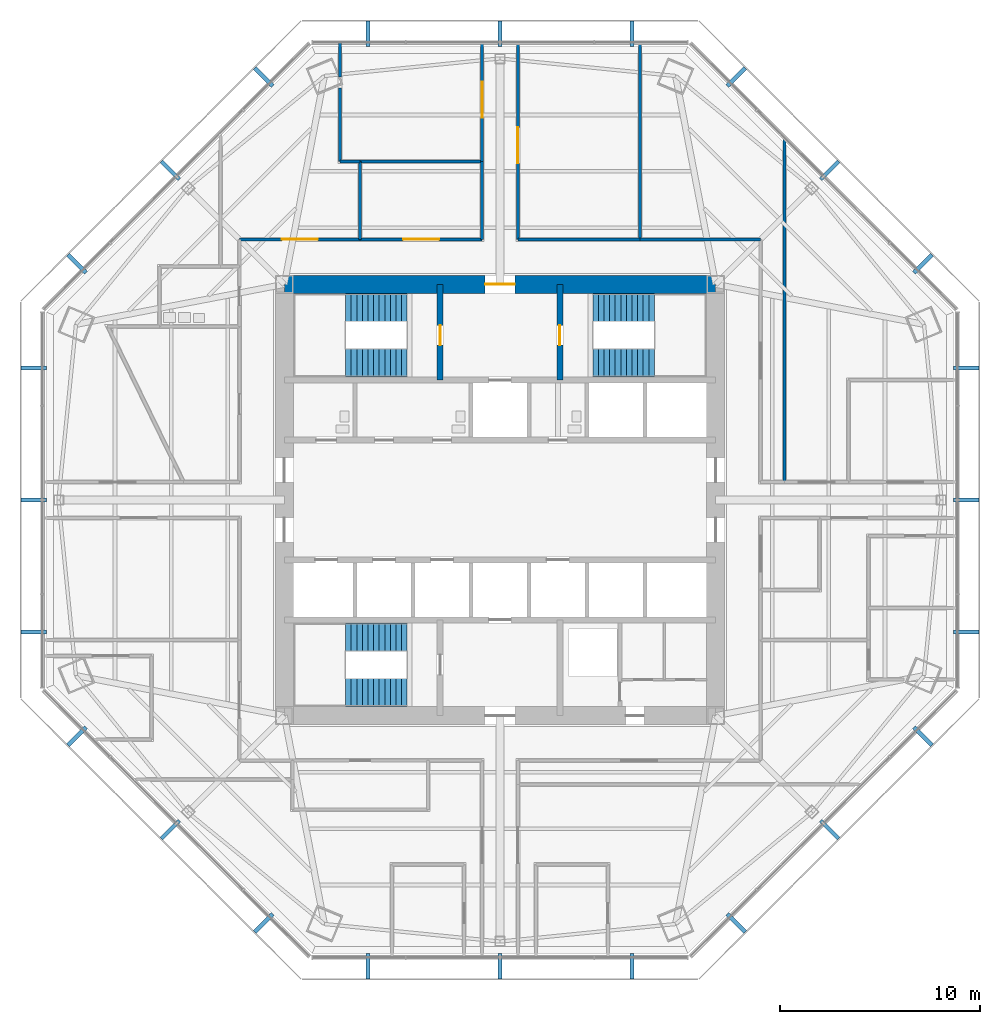
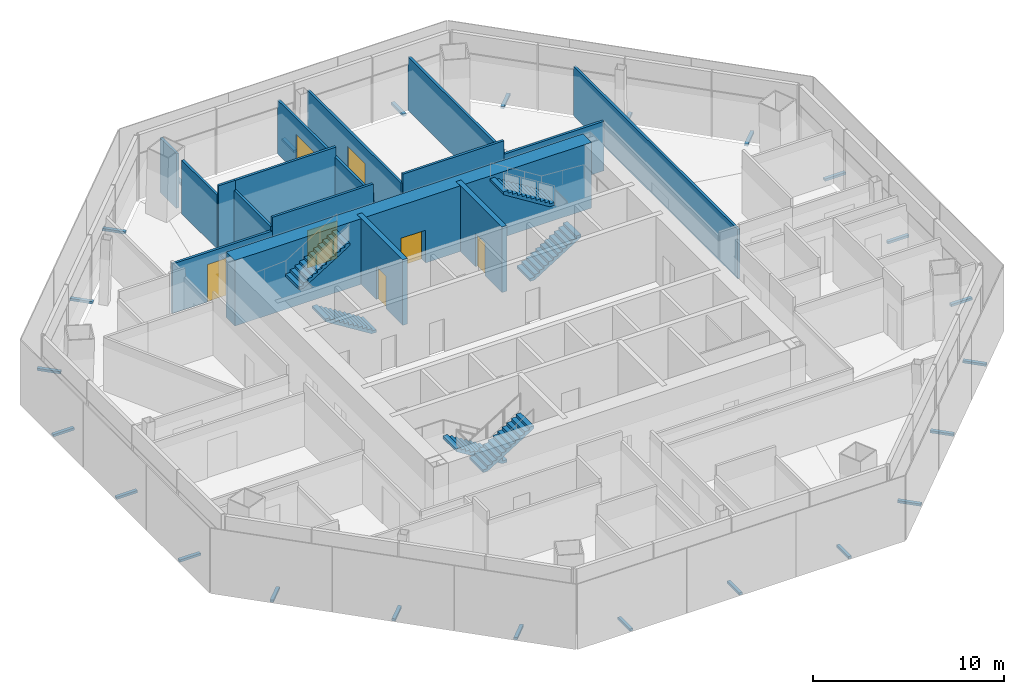
# One storey, part 11 of 14: 24 discrete accessories, 17 walls, 7 doors, 6 stair flights, 7 openings, 3 elements without a shape of their own.
"""IFC4 building model written with IfcOpenShell, lengths in metres."""

from ifc_helpers import new_model, si_unit, direction, frame, frame_2d, origin, origin_2d, place, context, subcontext, project, spatial, polyline, rectangle, outline, extrude, source, transform, mapped, material, layer, layer_set, type_object, type_shapes, element, fill, aggregate, save


model = new_model("IFC4")

# Units and contexts
model_context = context("Model", 3, precision=1e-05, world=origin(), true_north=direction((0.0, 1.0)))
body_context = subcontext(model_context, "Body", "Model", "MODEL_VIEW")
ifc_project = project(units=[si_unit("LENGTHUNIT", "METRE"), si_unit("AREAUNIT", "SQUARE_METRE"), si_unit("VOLUMEUNIT", "CUBIC_METRE"), si_unit("PLANEANGLEUNIT", "RADIAN"), si_unit("MASSUNIT", "GRAM", prefix="KILO")], contexts=[model_context])

# Site, building, storey
site_placement = place(None, origin())
site = spatial("IfcSite", under=ifc_project, at=site_placement, CompositionType="ELEMENT")
building_placement = place(site_placement, origin())
building = spatial("IfcBuilding", under=site, at=building_placement, Name="Mashrafa Tower", CompositionType="ELEMENT")
storey_placement = place(building_placement, frame((0.0, 0.0, 180.60009765625)))
storey = spatial("IfcBuildingStorey", under=building, at=storey_placement, Name="L41", CompositionType="ELEMENT", Elevation=180.60009765625)

# Wall, opening, door
ifc_material_1 = material(Name="Concrete C60/75", Category="concrete")
ifc_layer_1 = layer(ifc_material_1, 0.300048828125)
ifc_layer_set_1 = layer_set([ifc_layer_1], Name="Core wall 300 C60/75")
wall_type_1 = type_object("IfcWallType", Name="Core wall 300 C60/75", PredefinedType="SOLIDWALL", material=ifc_layer_set_1)
wall_1_placement = place(storey_placement, frame((-3.0, 6.0, 0.0), z_axis=(0.0, 0.0, 1.0), x_axis=(0.0, 1.0, 0.0)))
wall_1 = element("IfcWall", 1, at=wall_1_placement, inside=storey, type_object=wall_type_1, Name="Core wall CX-NW L41", PredefinedType="SOLIDWALL", context=body_context, shape_type="SweptSolid", body=[
    extrude(rectangle(XDim=4.800048828125, YDim=0.300048828125, at=frame_2d((2.39990234375, 0.0))), origin(), (0.0, 0.0, 1.0), 4.199951171875),
])
opening_1_placement = place(wall_1_placement, frame((1.75, 0.0, 0.0)))
opening_1 = element("IfcOpeningElement", 2, at=opening_1_placement, cuts=wall_1, Name="Opening 41.030", PredefinedType="OPENING", context=body_context, shape_type="SweptSolid", body=[
    extrude(rectangle(XDim=1.0, YDim=2.10009765625, at=frame_2d((0.5, 1.050048828125))), frame((0.0, 0.159912109375, 0.0), z_axis=(0.0, -1.0, 0.0), x_axis=(1.0, 0.0, 0.0)), (0.0, 0.0, 1.0), 0.320068359375),
])
ifc_material_2 = material(Name="Steel door", Category="steel")
door_type_1 = type_object("IfcDoorType", Name="Stair door 1000 x 2100 90 min", OperationType="USERDEFINED", PredefinedType="DOOR", material=ifc_material_2)
door_1_placement = place(opening_1_placement, origin())
door_1 = element("IfcDoor", 3, at=door_1_placement, inside=storey, type_object=door_type_1, Name="Stair S1 door L41", OperationType="SINGLE_SWING_LEFT", OverallHeight=2.10009765625, OverallWidth=1.0, PredefinedType="DOOR", context=body_context, shape_type="SweptSolid", body=[
    extrude(rectangle(XDim=1.0, YDim=2.10009765625, at=frame_2d((0.5, 1.050048828125))), frame((0.0, 0.02490234375, 0.0), z_axis=(0.0, -1.0, 0.0), x_axis=(1.0, 0.0, 0.0)), (0.0, 0.0, 1.0), 0.050048828125),
])
fill(opening_1, door_1)

wall_2_placement = place(storey_placement, frame((3.0, 6.0, 0.0), z_axis=(0.0, 0.0, 1.0), x_axis=(0.0, 1.0, 0.0)))
wall_2 = element("IfcWall", 4, at=wall_2_placement, inside=storey, type_object=wall_type_1, Name="Core wall CX-NE L41", PredefinedType="SOLIDWALL", context=body_context, shape_type="SweptSolid", body=[
    extrude(rectangle(XDim=4.800048828125, YDim=0.300048828125, at=frame_2d((2.39990234375, 0.0))), origin(), (0.0, 0.0, 1.0), 4.199951171875),
])
opening_2_placement = place(wall_2_placement, frame((1.75, 0.0, 0.0)))
opening_2 = element("IfcOpeningElement", 5, at=opening_2_placement, cuts=wall_2, Name="Opening 41.031", PredefinedType="OPENING", context=body_context, shape_type="SweptSolid", body=[
    extrude(rectangle(XDim=1.0, YDim=2.10009765625, at=frame_2d((0.5, 1.050048828125))), frame((0.0, 0.159912109375, 0.0), z_axis=(0.0, -1.0, 0.0), x_axis=(1.0, 0.0, 0.0)), (0.0, 0.0, 1.0), 0.320068359375),
])
door_2_placement = place(opening_2_placement, frame((1.0, 0.0, 0.0), z_axis=(0.0, 0.0, 1.0), x_axis=(-1.0, 0.0, 0.0)))
door_2 = element("IfcDoor", 6, at=door_2_placement, inside=storey, type_object=door_type_1, Name="Stair S2 door L41", OperationType="SINGLE_SWING_RIGHT", OverallHeight=2.10009765625, OverallWidth=1.0, PredefinedType="DOOR", context=body_context, shape_type="SweptSolid", body=[
    extrude(rectangle(XDim=1.0, YDim=2.10009765625, at=frame_2d((0.5, 1.050048828125))), frame((0.0, 0.02490234375, 0.0), z_axis=(0.0, -1.0, 0.0), x_axis=(1.0, 0.0, 0.0)), (0.0, 0.0, 1.0), 0.050048828125),
])
fill(opening_2, door_2)

ifc_material_3 = material(Name="Concrete C60/75", Category="concrete")
ifc_layer_2 = layer(ifc_material_3, 0.89990234375)
ifc_layer_set_2 = layer_set([ifc_layer_2], Name="Core wall 900 C60/75")
wall_type_2 = type_object("IfcWallType", Name="Core wall 900 C60/75", PredefinedType="SOLIDWALL", material=ifc_layer_set_2)
wall_3_placement = place(storey_placement, frame((10.800048828125, 10.800048828125, 0.0), z_axis=(0.0, 0.0, 1.0), x_axis=(-1.0, 0.0, 0.0)))
wall_3 = element("IfcWall", 7, at=wall_3_placement, inside=storey, type_object=wall_type_2, Name="Core wall CW-N L41", PredefinedType="SOLIDWALL", context=body_context, shape_type="SweptSolid", body=[
    extrude(rectangle(XDim=21.60009765625, YDim=0.89990234375, at=frame_2d((10.800048828125, 0.0))), origin(), (0.0, 0.0, 1.0), 4.199951171875),
])
opening_3_placement = place(wall_3_placement, frame((10.050048828125, 0.0, 0.0)))
opening_3 = element("IfcOpeningElement", 8, at=opening_3_placement, cuts=wall_3, Name="Opening 41.028", PredefinedType="OPENING", context=body_context, shape_type="SweptSolid", body=[
    extrude(rectangle(XDim=1.5, YDim=2.10009765625, at=frame_2d((0.75, 1.050048828125))), frame((0.0, 0.4599609375, 0.0), z_axis=(0.0, -1.0, 0.0), x_axis=(1.0, 0.0, 0.0)), (0.0, 0.0, 1.0), 0.919921875),
])
ifc_material_4 = material(Name="Steel door", Category="steel")
door_type_2 = type_object("IfcDoorType", Name="Lobby door pair 1500 x 2100 90 min", OperationType="DOUBLE_DOOR_SINGLE_SWING", PredefinedType="DOOR", material=ifc_material_4)
door_3_placement = place(opening_3_placement, origin())
door_3 = element("IfcDoor", 9, at=door_3_placement, inside=storey, type_object=door_type_2, Name="Fire-fighting lobby F1 door L41", OperationType="DOUBLE_DOOR_SINGLE_SWING", OverallHeight=2.10009765625, OverallWidth=1.5, PredefinedType="DOOR", context=body_context, shape_type="SweptSolid", body=[
    extrude(rectangle(XDim=1.5, YDim=2.10009765625, at=frame_2d((0.75, 1.050048828125))), frame((0.0, 0.02490234375, 0.0), z_axis=(0.0, -1.0, 0.0), x_axis=(1.0, 0.0, 0.0)), (0.0, 0.0, 1.0), 0.050048828125),
])
fill(opening_3, door_3)

ifc_material_5 = material(Name="Gypsum board on steel studs", Category="steel")
ifc_layer_3 = layer(ifc_material_5, 0.14990234375)
ifc_layer_set_3 = layer_set([ifc_layer_3], Name="Corridor partition 150 1 hr")
wall_type_3 = type_object("IfcWallType", Name="Corridor partition 150 1 hr", PredefinedType="PARTITIONING", material=ifc_layer_set_3)
wall_4_placement = place(storey_placement, frame((-0.89990234375, 22.889892578125, 0.0), z_axis=(0.0, 0.0, 1.0), x_axis=(0.0, -1.0, 0.0)))
wall_4 = element("IfcWall", 10, at=wall_4_placement, inside=storey, type_object=wall_type_3, Name="Corridor wall L41-004", PredefinedType="PARTITIONING", context=body_context, shape_type="SweptSolid", body=[
    extrude(rectangle(XDim=5.93505859375, YDim=0.14990234375, at=frame_2d((2.967529296875, 0.0))), origin(), (0.0, 0.0, 1.0), 3.425537109375),
])
opening_4_placement = place(wall_4_placement, frame((1.949462890625, 0.0, 0.0)))
opening_4 = element("IfcOpeningElement", 11, at=opening_4_placement, cuts=wall_4, Name="Opening 41.003", PredefinedType="OPENING", context=body_context, shape_type="SweptSolid", body=[
    extrude(rectangle(XDim=1.800048828125, YDim=2.39990234375, at=frame_2d((0.89990234375, 1.199951171875))), frame((0.0, 0.0849609375, 0.0), z_axis=(0.0, -1.0, 0.0), x_axis=(1.0, 0.0, 0.0)), (0.0, 0.0, 1.0), 0.169921875),
])
ifc_material_6 = material(Name="Timber door", Category="wood")
door_type_3 = type_object("IfcDoorType", Name="Door pair 1800 x 2400", OperationType="DOUBLE_DOOR_SINGLE_SWING", PredefinedType="DOOR", material=ifc_material_6)
door_4_placement = place(opening_4_placement, frame((1.800048828125, 0.0, 0.0), z_axis=(0.0, 0.0, 1.0), x_axis=(-1.0, 0.0, 0.0)))
door_4 = element("IfcDoor", 12, at=door_4_placement, inside=storey, type_object=door_type_3, Name="Board Room 41 door", OperationType="DOUBLE_DOOR_SINGLE_SWING", OverallHeight=2.39990234375, OverallWidth=1.800048828125, PredefinedType="DOOR", context=body_context, shape_type="SweptSolid", body=[
    extrude(rectangle(XDim=1.800048828125, YDim=2.39990234375, at=frame_2d((0.89990234375, 1.199951171875))), frame((0.0, 0.02490234375, 0.0), z_axis=(0.0, -1.0, 0.0), x_axis=(1.0, 0.0, 0.0)), (0.0, 0.0, 1.0), 0.050048828125),
])
fill(opening_4, door_4)

# Walls
wall_5_placement = place(storey_placement, frame((13.050048828125, 13.050048828125, 0.0), z_axis=(0.0, 0.0, 1.0), x_axis=(-1.0, 0.0, 0.0)))
element("IfcWall", 13, at=wall_5_placement, inside=storey, type_object=wall_type_3, Name="Corridor wall L41-012", PredefinedType="PARTITIONING", context=body_context, shape_type="SweptSolid", body=[
    extrude(rectangle(XDim=6.051025390625, YDim=0.14990234375, at=frame_2d((3.025390625, 0.0))), origin(), (0.0, 0.0, 1.0), 3.16650390625),
])
wall_6_placement = place(storey_placement, frame((7.0009765625, 13.050048828125, 0.0), z_axis=(0.0, 0.0, 1.0), x_axis=(-1.0, 0.0, 0.0)))
element("IfcWall", 14, at=wall_6_placement, inside=storey, type_object=wall_type_3, Name="Corridor wall L41-013", PredefinedType="PARTITIONING", context=body_context, shape_type="SweptSolid", body=[
    extrude(rectangle(XDim=6.10107421875, YDim=0.14990234375, at=frame_2d((3.050537109375, 0.0))), origin(), (0.0, 0.0, 1.0), 4.034912109375),
])

# Wall, opening, door
wall_7_placement = place(storey_placement, frame((0.89990234375, 13.050048828125, 0.0), z_axis=(0.0, 0.0, 1.0), x_axis=(0.0, 1.0, 0.0)))
wall_7 = element("IfcWall", 15, at=wall_7_placement, inside=storey, type_object=wall_type_3, Name="Corridor wall L41-014", PredefinedType="PARTITIONING", context=body_context, shape_type="SweptSolid", body=[
    extrude(rectangle(XDim=9.83984375, YDim=0.14990234375, at=frame_2d((4.919921875, 0.0))), origin(), (0.0, 0.0, 1.0), 3.425537109375),
])
opening_5_placement = place(wall_7_placement, frame((3.802978515625, 0.0, 0.0)))
opening_5 = element("IfcOpeningElement", 16, at=opening_5_placement, cuts=wall_7, Name="Opening 41.014", PredefinedType="OPENING", context=body_context, shape_type="SweptSolid", body=[
    extrude(rectangle(XDim=1.800048828125, YDim=2.39990234375, at=frame_2d((0.89990234375, 1.199951171875))), frame((0.0, 0.0849609375, 0.0), z_axis=(0.0, -1.0, 0.0), x_axis=(1.0, 0.0, 0.0)), (0.0, 0.0, 1.0), 0.169921875),
])
door_5_placement = place(opening_5_placement, frame((1.800048828125, 0.0, 0.0), z_axis=(0.0, 0.0, 1.0), x_axis=(-1.0, 0.0, 0.0)))
door_5 = element("IfcDoor", 17, at=door_5_placement, inside=storey, type_object=door_type_3, Name="General Counsel's Office 41-NE1 door", OperationType="DOUBLE_DOOR_SINGLE_SWING", OverallHeight=2.39990234375, OverallWidth=1.800048828125, PredefinedType="DOOR", context=body_context, shape_type="SweptSolid", body=[
    extrude(rectangle(XDim=1.800048828125, YDim=2.39990234375, at=frame_2d((0.89990234375, 1.199951171875))), frame((0.0, 0.02490234375, 0.0), z_axis=(0.0, -1.0, 0.0), x_axis=(1.0, 0.0, 0.0)), (0.0, 0.0, 1.0), 0.050048828125),
])
fill(opening_5, door_5)

wall_8_placement = place(storey_placement, frame((-6.9990234375, 13.050048828125, 0.0), z_axis=(0.0, 0.0, 1.0), x_axis=(-1.0, 0.0, 0.0)))
wall_8 = element("IfcWall", 18, at=wall_8_placement, inside=storey, type_object=wall_type_3, Name="Corridor wall L41-016", PredefinedType="PARTITIONING", context=body_context, shape_type="SweptSolid", body=[
    extrude(rectangle(XDim=6.051025390625, YDim=0.14990234375, at=frame_2d((3.025390625, 0.0))), origin(), (0.0, 0.0, 1.0), 3.16650390625),
])
opening_6_placement = place(wall_8_placement, frame((2.12548828125, 0.0, 0.0)))
opening_6 = element("IfcOpeningElement", 19, at=opening_6_placement, cuts=wall_8, Name="Opening 41.016", PredefinedType="OPENING", context=body_context, shape_type="SweptSolid", body=[
    extrude(rectangle(XDim=1.800048828125, YDim=2.39990234375, at=frame_2d((0.89990234375, 1.199951171875))), frame((0.0, 0.0849609375, 0.0), z_axis=(0.0, -1.0, 0.0), x_axis=(1.0, 0.0, 0.0)), (0.0, 0.0, 1.0), 0.169921875),
])
door_6_placement = place(opening_6_placement, frame((1.800048828125, 0.0, 0.0), z_axis=(0.0, 0.0, 1.0), x_axis=(-1.0, 0.0, 0.0)))
door_6 = element("IfcDoor", 20, at=door_6_placement, inside=storey, type_object=door_type_3, Name="Corporate Affairs Office 41-NW2 door", OperationType="DOUBLE_DOOR_SINGLE_SWING", OverallHeight=2.39990234375, OverallWidth=1.800048828125, PredefinedType="DOOR", context=body_context, shape_type="SweptSolid", body=[
    extrude(rectangle(XDim=1.800048828125, YDim=2.39990234375, at=frame_2d((0.89990234375, 1.199951171875))), frame((0.0, 0.02490234375, 0.0), z_axis=(0.0, -1.0, 0.0), x_axis=(1.0, 0.0, 0.0)), (0.0, 0.0, 1.0), 0.050048828125),
])
fill(opening_6, door_6)

# Wall
wall_9_placement = place(storey_placement, frame((-0.89990234375, 16.956787109375, 0.0), z_axis=(0.0, 0.0, 1.0), x_axis=(0.0, -1.0, 0.0)))
element("IfcWall", 21, at=wall_9_placement, inside=storey, type_object=wall_type_3, Name="Corridor wall L41-018", PredefinedType="PARTITIONING", context=body_context, shape_type="SweptSolid", body=[
    extrude(rectangle(XDim=3.90673828125, YDim=0.14990234375, at=frame_2d((1.953369140625, 0.0))), origin(), (0.0, 0.0, 1.0), 3.425537109375),
])

# Wall, opening, door
wall_10_placement = place(storey_placement, frame((-0.89990234375, 13.050048828125, 0.0), z_axis=(0.0, 0.0, 1.0), x_axis=(-1.0, 0.0, 0.0)))
wall_10 = element("IfcWall", 22, at=wall_10_placement, inside=storey, type_object=wall_type_3, Name="Corridor wall L41-019", PredefinedType="PARTITIONING", context=body_context, shape_type="SweptSolid", body=[
    extrude(rectangle(XDim=6.10107421875, YDim=0.14990234375, at=frame_2d((3.050537109375, 0.0))), origin(), (0.0, 0.0, 1.0), 4.034912109375),
])
opening_7_placement = place(wall_10_placement, frame((2.150390625, 0.0, 0.0)))
opening_7 = element("IfcOpeningElement", 23, at=opening_7_placement, cuts=wall_10, Name="Opening 41.017", PredefinedType="OPENING", context=body_context, shape_type="SweptSolid", body=[
    extrude(rectangle(XDim=1.800048828125, YDim=2.39990234375, at=frame_2d((0.89990234375, 1.199951171875))), frame((0.0, 0.0849609375, 0.0), z_axis=(0.0, -1.0, 0.0), x_axis=(1.0, 0.0, 0.0)), (0.0, 0.0, 1.0), 0.169921875),
])
door_7_placement = place(opening_7_placement, frame((1.800048828125, 0.0, 0.0), z_axis=(0.0, 0.0, 1.0), x_axis=(-1.0, 0.0, 0.0)))
door_7 = element("IfcDoor", 24, at=door_7_placement, inside=storey, type_object=door_type_3, Name="General Counsel's Office 41-NW1 door", OperationType="DOUBLE_DOOR_SINGLE_SWING", OverallHeight=2.39990234375, OverallWidth=1.800048828125, PredefinedType="DOOR", context=body_context, shape_type="SweptSolid", body=[
    extrude(rectangle(XDim=1.800048828125, YDim=2.39990234375, at=frame_2d((0.89990234375, 1.199951171875))), frame((0.0, 0.02490234375, 0.0), z_axis=(0.0, -1.0, 0.0), x_axis=(1.0, 0.0, 0.0)), (0.0, 0.0, 1.0), 0.050048828125),
])
fill(opening_7, door_7)

# Walls
ifc_material_7 = material(Name="Gypsum board on steel studs", Category="steel")
ifc_layer_4 = layer(ifc_material_7, 0.14990234375)
ifc_layer_set_4 = layer_set([ifc_layer_4], Name="Partition 150")
wall_type_4 = type_object("IfcWallType", Name="Partition 150", PredefinedType="PARTITIONING", material=ifc_layer_set_4)
wall_11_placement = place(storey_placement, frame((-8.0, 22.8876953125, 0.0), z_axis=(0.0, 0.0, 1.0), x_axis=(0.0, -1.0, 0.0)))
element("IfcWall", 25, at=wall_11_placement, inside=storey, type_object=wall_type_4, Name="Partition wall L41-038", PredefinedType="PARTITIONING", context=body_context, shape_type="SweptSolid", body=[
    extrude(rectangle(XDim=1.6953125, YDim=0.14990234375, at=frame_2d((0.84765625, 0.0))), origin(), (0.0, 0.0, 1.0), 3.4990234375),
])
wall_12_placement = place(storey_placement, frame((-8.0, 20.63818359375, 0.0), z_axis=(0.0, 0.0, 1.0), x_axis=(0.0, -1.0, 0.0)))
element("IfcWall", 26, at=wall_12_placement, inside=storey, type_object=wall_type_4, Name="Partition wall L41-039", PredefinedType="PARTITIONING", context=body_context, shape_type="SweptSolid", body=[
    extrude(rectangle(XDim=3.682373046875, YDim=0.14990234375, at=frame_2d((1.84130859375, 0.0))), origin(), (0.0, 0.0, 1.0), 3.425537109375),
])
wall_13_placement = place(storey_placement, frame((-8.0, 16.955810546875, 0.0), z_axis=(0.0, 0.0, 1.0), x_axis=(1.0, 0.0, 0.0)))
element("IfcWall", 27, at=wall_13_placement, inside=storey, type_object=wall_type_4, Name="Partition wall L41-040", PredefinedType="PARTITIONING", context=body_context, shape_type="SweptSolid", body=[
    extrude(rectangle(XDim=1.0009765625, YDim=0.14990234375, at=frame_2d((0.50048828125, 0.0))), origin(), (0.0, 0.0, 1.0), 4.034912109375),
])
wall_14_placement = place(storey_placement, frame((-7.0009765625, 16.955810546875, 0.0), z_axis=(0.0, 0.0, 1.0), x_axis=(1.0, 0.0, 0.0)))
element("IfcWall", 28, at=wall_14_placement, inside=storey, type_object=wall_type_4, Name="Partition wall L41-041", PredefinedType="PARTITIONING", context=body_context, shape_type="SweptSolid", body=[
    extrude(rectangle(XDim=6.10107421875, YDim=0.14990234375, at=frame_2d((3.050537109375, 0.0))), origin(), (0.0, 0.0, 1.0), 4.034912109375),
])
wall_15_placement = place(storey_placement, frame((14.25, 18.119873046875, 0.0), z_axis=(0.0, 0.0, 1.0), x_axis=(0.0, -1.0, 0.0)))
element("IfcWall", 29, at=wall_15_placement, inside=storey, type_object=wall_type_4, Name="Partition wall L41-066", PredefinedType="PARTITIONING", context=body_context, shape_type="SweptSolid", body=[
    extrude(rectangle(XDim=17.219970703125, YDim=0.14990234375, at=frame_2d((8.60986328125, 0.0))), origin(), (0.0, 0.0, 1.0), 3.16650390625),
])
wall_16_placement = place(storey_placement, frame((7.0, 22.8876953125, 0.0), z_axis=(0.0, 0.0, 1.0), x_axis=(0.0, -1.0, 0.0)))
element("IfcWall", 30, at=wall_16_placement, inside=storey, type_object=wall_type_4, Name="Partition wall L41-067", PredefinedType="PARTITIONING", context=body_context, shape_type="SweptSolid", body=[
    extrude(rectangle(XDim=9.837646484375, YDim=0.14990234375, at=frame_2d((4.9189453125, 0.0))), origin(), (0.0, 0.0, 1.0), 3.425537109375),
])
wall_17_placement = place(storey_placement, frame((-7.0, 13.050048828125, 0.0), z_axis=(0.0, 0.0, 1.0), x_axis=(0.0, 1.0, 0.0)))
element("IfcWall", 31, at=wall_17_placement, inside=storey, type_object=wall_type_4, Name="Partition wall L41-069", PredefinedType="PARTITIONING", context=body_context, shape_type="SweptSolid", body=[
    extrude(rectangle(XDim=3.90576171875, YDim=0.14990234375, at=frame_2d((1.952880859375, 0.0))), origin(), (0.0, 0.0, 1.0), 3.425537109375),
])

# Stair, stair flights
ifc_material_8 = material(Name="Exit stair 1400")
stair_type = type_object("IfcStairType", Name="Exit stair 1400", PredefinedType="HALF_TURN_STAIR", material=ifc_material_8)
stair_1_placement = place(storey_placement, origin())
stair_1 = element("IfcStair", 32, at=stair_1_placement, inside=storey, type_object=stair_type, Name="Stair S1 L41", PredefinedType="HALF_TURN_STAIR")
ifc_material_9 = material(Name="Concrete C32/40", Category="concrete")
stair_flight_type = type_object("IfcStairFlightType", Name="Stair flight 1400", PredefinedType="STRAIGHT", material=ifc_material_9)
stair_flight_1_placement = place(storey_placement, frame((-4.64990234375, 6.85009765625, 0.0), z_axis=(0.0, 0.0, 1.0), x_axis=(-1.0, 0.0, 0.0)))
stair_flight_1 = element("IfcStairFlight", 33, at=stair_flight_1_placement, type_object=stair_flight_type, Name="S1 flight 1", NumberOfRisers=12, NumberOfTreads=11, PredefinedType="STRAIGHT", RiserHeight=0.175, TreadLength=0.28, context=body_context, shape_type="SweptSolid", body=[
    extrude(outline(polyline([(0.0, 0.0), (0.0, 0.175048828125), (0.280029296875, 0.175048828125), (0.280029296875, 0.35009765625), (0.56005859375, 0.35009765625), (0.56005859375, 0.52490234375), (0.840087890625, 0.52490234375), (0.840087890625, 0.699951171875), (1.1201171875, 0.699951171875), (1.1201171875, 0.875), (1.39990234375, 0.875), (1.39990234375, 1.050048828125), (1.679931640625, 1.050048828125), (1.679931640625, 1.22509765625), (1.9599609375, 1.22509765625), (1.9599609375, 1.39990234375), (2.239990234375, 1.39990234375), (2.239990234375, 1.574951171875), (2.52001953125, 1.574951171875), (2.52001953125, 1.75), (2.800048828125, 1.75), (2.800048828125, 1.925048828125), (3.080078125, 1.925048828125), (3.080078125, 2.10009765625), (3.080078125, 1.748291015625), (0.28271484375, 0.0), (0.0, 0.0)])), frame((0.0, 0.699951171875, 0.0), z_axis=(0.0, -1.0, 0.0), x_axis=(1.0, 0.0, 0.0)), (0.0, 0.0, 1.0), 1.39990234375),
])
stair_flight_2_placement = place(storey_placement, frame((-7.72998046875, 9.64990234375, 2.099853515625), z_axis=(0.0, 0.0, 1.0), x_axis=(1.0, 0.0, 0.0)))
stair_flight_2 = element("IfcStairFlight", 34, at=stair_flight_2_placement, type_object=stair_flight_type, Name="S1 flight 2", NumberOfRisers=12, NumberOfTreads=11, PredefinedType="STRAIGHT", RiserHeight=0.175, TreadLength=0.28, context=body_context, shape_type="SweptSolid", body=[
    extrude(outline(polyline([(0.0, 0.0), (0.0, 0.175048828125), (0.280029296875, 0.175048828125), (0.280029296875, 0.35009765625), (0.56005859375, 0.35009765625), (0.56005859375, 0.52490234375), (0.840087890625, 0.52490234375), (0.840087890625, 0.699951171875), (1.1201171875, 0.699951171875), (1.1201171875, 0.875), (1.39990234375, 0.875), (1.39990234375, 1.050048828125), (1.679931640625, 1.050048828125), (1.679931640625, 1.22509765625), (1.9599609375, 1.22509765625), (1.9599609375, 1.39990234375), (2.239990234375, 1.39990234375), (2.239990234375, 1.574951171875), (2.52001953125, 1.574951171875), (2.52001953125, 1.75), (2.800048828125, 1.75), (2.800048828125, 1.925048828125), (3.080078125, 1.925048828125), (3.080078125, 2.10009765625), (3.080078125, 1.748291015625), (0.28271484375, 0.0), (0.0, 0.0)])), frame((0.0, 0.699951171875, 0.0), z_axis=(0.0, -1.0, 0.0), x_axis=(1.0, 0.0, 0.0)), (0.0, 0.0, 1.0), 1.39990234375),
])
aggregate(stair_1, [stair_flight_1, stair_flight_2])

stair_2_placement = place(storey_placement, origin())
stair_2 = element("IfcStair", 35, at=stair_2_placement, inside=storey, type_object=stair_type, Name="Stair S2 L41", PredefinedType="HALF_TURN_STAIR")
stair_flight_3_placement = place(storey_placement, frame((4.64990234375, 6.85009765625, 0.0), z_axis=(0.0, 0.0, 1.0), x_axis=(1.0, 0.0, 0.0)))
stair_flight_3 = element("IfcStairFlight", 36, at=stair_flight_3_placement, type_object=stair_flight_type, Name="S2 flight 1", NumberOfRisers=12, NumberOfTreads=11, PredefinedType="STRAIGHT", RiserHeight=0.175, TreadLength=0.28, context=body_context, shape_type="SweptSolid", body=[
    extrude(outline(polyline([(0.0, 0.0), (0.0, 0.175048828125), (0.280029296875, 0.175048828125), (0.280029296875, 0.35009765625), (0.56005859375, 0.35009765625), (0.56005859375, 0.52490234375), (0.840087890625, 0.52490234375), (0.840087890625, 0.699951171875), (1.1201171875, 0.699951171875), (1.1201171875, 0.875), (1.39990234375, 0.875), (1.39990234375, 1.050048828125), (1.679931640625, 1.050048828125), (1.679931640625, 1.22509765625), (1.9599609375, 1.22509765625), (1.9599609375, 1.39990234375), (2.239990234375, 1.39990234375), (2.239990234375, 1.574951171875), (2.52001953125, 1.574951171875), (2.52001953125, 1.75), (2.800048828125, 1.75), (2.800048828125, 1.925048828125), (3.080078125, 1.925048828125), (3.080078125, 2.10009765625), (3.080078125, 1.748291015625), (0.28271484375, 0.0), (0.0, 0.0)])), frame((0.0, 0.699951171875, 0.0), z_axis=(0.0, -1.0, 0.0), x_axis=(1.0, 0.0, 0.0)), (0.0, 0.0, 1.0), 1.39990234375),
])
stair_flight_4_placement = place(storey_placement, frame((7.72998046875, 9.64990234375, 2.099853515625), z_axis=(0.0, 0.0, 1.0), x_axis=(-1.0, 0.0, 0.0)))
stair_flight_4 = element("IfcStairFlight", 37, at=stair_flight_4_placement, type_object=stair_flight_type, Name="S2 flight 2", NumberOfRisers=12, NumberOfTreads=11, PredefinedType="STRAIGHT", RiserHeight=0.175, TreadLength=0.28, context=body_context, shape_type="SweptSolid", body=[
    extrude(outline(polyline([(0.0, 0.0), (0.0, 0.175048828125), (0.280029296875, 0.175048828125), (0.280029296875, 0.35009765625), (0.56005859375, 0.35009765625), (0.56005859375, 0.52490234375), (0.840087890625, 0.52490234375), (0.840087890625, 0.699951171875), (1.1201171875, 0.699951171875), (1.1201171875, 0.875), (1.39990234375, 0.875), (1.39990234375, 1.050048828125), (1.679931640625, 1.050048828125), (1.679931640625, 1.22509765625), (1.9599609375, 1.22509765625), (1.9599609375, 1.39990234375), (2.239990234375, 1.39990234375), (2.239990234375, 1.574951171875), (2.52001953125, 1.574951171875), (2.52001953125, 1.75), (2.800048828125, 1.75), (2.800048828125, 1.925048828125), (3.080078125, 1.925048828125), (3.080078125, 2.10009765625), (3.080078125, 1.748291015625), (0.28271484375, 0.0), (0.0, 0.0)])), frame((0.0, 0.699951171875, 0.0), z_axis=(0.0, -1.0, 0.0), x_axis=(1.0, 0.0, 0.0)), (0.0, 0.0, 1.0), 1.39990234375),
])
aggregate(stair_2, [stair_flight_3, stair_flight_4])

stair_3_placement = place(storey_placement, origin())
stair_3 = element("IfcStair", 38, at=stair_3_placement, inside=storey, type_object=stair_type, Name="Stair S3 L41", PredefinedType="HALF_TURN_STAIR")
stair_flight_5_placement = place(storey_placement, frame((-4.64990234375, -6.85009765625, 0.0), z_axis=(0.0, 0.0, 1.0), x_axis=(-1.0, 0.0, 0.0)))
stair_flight_5 = element("IfcStairFlight", 39, at=stair_flight_5_placement, type_object=stair_flight_type, Name="S3 flight 1", NumberOfRisers=12, NumberOfTreads=11, PredefinedType="STRAIGHT", RiserHeight=0.175, TreadLength=0.28, context=body_context, shape_type="SweptSolid", body=[
    extrude(outline(polyline([(0.0, 0.0), (0.0, 0.175048828125), (0.280029296875, 0.175048828125), (0.280029296875, 0.35009765625), (0.56005859375, 0.35009765625), (0.56005859375, 0.52490234375), (0.840087890625, 0.52490234375), (0.840087890625, 0.699951171875), (1.1201171875, 0.699951171875), (1.1201171875, 0.875), (1.39990234375, 0.875), (1.39990234375, 1.050048828125), (1.679931640625, 1.050048828125), (1.679931640625, 1.22509765625), (1.9599609375, 1.22509765625), (1.9599609375, 1.39990234375), (2.239990234375, 1.39990234375), (2.239990234375, 1.574951171875), (2.52001953125, 1.574951171875), (2.52001953125, 1.75), (2.800048828125, 1.75), (2.800048828125, 1.925048828125), (3.080078125, 1.925048828125), (3.080078125, 2.10009765625), (3.080078125, 1.748291015625), (0.28271484375, 0.0), (0.0, 0.0)])), frame((0.0, 0.699951171875, 0.0), z_axis=(0.0, -1.0, 0.0), x_axis=(1.0, 0.0, 0.0)), (0.0, 0.0, 1.0), 1.39990234375),
])
stair_flight_6_placement = place(storey_placement, frame((-7.72998046875, -9.64990234375, 2.099853515625), z_axis=(0.0, 0.0, 1.0), x_axis=(1.0, 0.0, 0.0)))
stair_flight_6 = element("IfcStairFlight", 40, at=stair_flight_6_placement, type_object=stair_flight_type, Name="S3 flight 2", NumberOfRisers=12, NumberOfTreads=11, PredefinedType="STRAIGHT", RiserHeight=0.175, TreadLength=0.28, context=body_context, shape_type="SweptSolid", body=[
    extrude(outline(polyline([(0.0, 0.0), (0.0, 0.175048828125), (0.280029296875, 0.175048828125), (0.280029296875, 0.35009765625), (0.56005859375, 0.35009765625), (0.56005859375, 0.52490234375), (0.840087890625, 0.52490234375), (0.840087890625, 0.699951171875), (1.1201171875, 0.699951171875), (1.1201171875, 0.875), (1.39990234375, 0.875), (1.39990234375, 1.050048828125), (1.679931640625, 1.050048828125), (1.679931640625, 1.22509765625), (1.9599609375, 1.22509765625), (1.9599609375, 1.39990234375), (2.239990234375, 1.39990234375), (2.239990234375, 1.574951171875), (2.52001953125, 1.574951171875), (2.52001953125, 1.75), (2.800048828125, 1.75), (2.800048828125, 1.925048828125), (3.080078125, 1.925048828125), (3.080078125, 2.10009765625), (3.080078125, 1.748291015625), (0.28271484375, 0.0), (0.0, 0.0)])), frame((0.0, 0.699951171875, 0.0), z_axis=(0.0, -1.0, 0.0), x_axis=(1.0, 0.0, 0.0)), (0.0, 0.0, 1.0), 1.39990234375),
])
aggregate(stair_3, [stair_flight_5, stair_flight_6])

# Discrete accessories
ifc_material_10 = material(Name="Stainless steel screen bracket", Category="steel")
discrete_accessory_type = type_object("IfcDiscreteAccessoryType", Name="Screen support bracket 200 x 150", PredefinedType="BRACKET", material=ifc_material_10)
shared_shape = source(origin(), body_context, "Body", "SweptSolid", [
    extrude(rectangle(XDim=0.199951171875, YDim=1.27001953125, at=origin_2d()), origin(), (0.0, 0.0, 1.0), 0.14990234375),
])
type_shapes(discrete_accessory_type, [shared_shape])
for number, where, z_axis, x_axis, name in (
    (41, (23.3408203125, -6.614013671875, -0.150146484375), (0.0, 0.0, 1.0), (0.0, 1.0, 0.0), "Screen support bracket L41 east 1"),
    (42, (23.3408203125, 0.0, -0.150146484375), (0.0, 0.0, 1.0), (0.0, 1.0, 0.0), "Screen support bracket L41 east 2"),
    (43, (23.3408203125, 6.614013671875, -0.150146484375), (0.0, 0.0, 1.0), (0.0, 1.0, 0.0), "Screen support bracket L41 east 3"),
    (44, (21.181396484375, 11.82763671875, -0.150146484375), (0.0, 0.0, 1.0), (-0.707106781187, 0.707106781187, 0.0), "Screen support bracket L41 north-east 1"),
    (45, (16.50439453125, 16.50439453125, -0.150146484375), (0.0, 0.0, 1.0), (-0.707106781187, 0.707106781187, 0.0), "Screen support bracket L41 north-east 2"),
    (46, (11.82763671875, 21.181396484375, -0.150146484375), (0.0, 0.0, 1.0), (-0.707106781187, 0.707106781187, 0.0), "Screen support bracket L41 north-east 3"),
    (47, (6.614013671875, 23.3408203125, -0.150146484375), (0.0, 0.0, 1.0), (-1.0, 0.0, 0.0), "Screen support bracket L41 north 1"),
    (48, (0.0, 23.3408203125, -0.150146484375), (0.0, 0.0, 1.0), (-1.0, 0.0, 0.0), "Screen support bracket L41 north 2"),
    (49, (-6.614013671875, 23.3408203125, -0.150146484375), (0.0, 0.0, 1.0), (-1.0, 0.0, 0.0), "Screen support bracket L41 north 3"),
    (50, (-11.82763671875, 21.181396484375, -0.150146484375), (0.0, 0.0, 1.0), (-0.707106781187, -0.707106781187, 0.0), "Screen support bracket L41 north-west 1"),
    (51, (-16.50439453125, 16.50439453125, -0.150146484375), (0.0, 0.0, 1.0), (-0.707106781187, -0.707106781187, 0.0), "Screen support bracket L41 north-west 2"),
    (52, (-21.181396484375, 11.82763671875, -0.150146484375), (0.0, 0.0, 1.0), (-0.707106781187, -0.707106781187, 0.0), "Screen support bracket L41 north-west 3"),
    (53, (-23.3408203125, 6.614013671875, -0.150146484375), (0.0, 0.0, 1.0), (0.0, -1.0, 0.0), "Screen support bracket L41 west 1"),
    (54, (-23.3408203125, 0.0, -0.150146484375), (0.0, 0.0, 1.0), (0.0, -1.0, 0.0), "Screen support bracket L41 west 2"),
    (55, (-23.3408203125, -6.614013671875, -0.150146484375), (0.0, 0.0, 1.0), (0.0, -1.0, 0.0), "Screen support bracket L41 west 3"),
    (56, (-21.181396484375, -11.82763671875, -0.150146484375), (0.0, 0.0, 1.0), (0.707106781187, -0.707106781187, 0.0), "Screen support bracket L41 south-west 1"),
    (57, (-16.50439453125, -16.50439453125, -0.150146484375), (0.0, 0.0, 1.0), (0.707106781187, -0.707106781187, 0.0), "Screen support bracket L41 south-west 2"),
    (58, (-11.82763671875, -21.181396484375, -0.150146484375), (0.0, 0.0, 1.0), (0.707106781187, -0.707106781187, 0.0), "Screen support bracket L41 south-west 3"),
    (59, (-6.614013671875, -23.3408203125, -0.150146484375), (0.0, 0.0, 1.0), (1.0, 0.0, 0.0), "Screen support bracket L41 south 1"),
    (60, (0.0, -23.3408203125, -0.150146484375), (0.0, 0.0, 1.0), (1.0, 0.0, 0.0), "Screen support bracket L41 south 2"),
    (61, (6.614013671875, -23.3408203125, -0.150146484375), (0.0, 0.0, 1.0), (1.0, 0.0, 0.0), "Screen support bracket L41 south 3"),
    (62, (11.82763671875, -21.181396484375, -0.150146484375), (0.0, 0.0, 1.0), (0.707106781187, 0.707106781187, 0.0), "Screen support bracket L41 south-east 1"),
    (63, (16.50439453125, -16.50439453125, -0.150146484375), (0.0, 0.0, 1.0), (0.707106781187, 0.707106781187, 0.0), "Screen support bracket L41 south-east 2"),
    (64, (21.181396484375, -11.82763671875, -0.150146484375), (0.0, 0.0, 1.0), (0.707106781187, 0.707106781187, 0.0), "Screen support bracket L41 south-east 3"),
):
    element("IfcDiscreteAccessory", number, at=place(storey_placement, frame(where, z_axis=z_axis, x_axis=x_axis)), inside=storey, type_object=discrete_accessory_type, Name=name, PredefinedType="BRACKET", context=body_context, shape_type="MappedRepresentation", body=[
        mapped(shared_shape, transform((0.0, 0.0, 0.0))),
    ])

save(model, "model.ifc")
